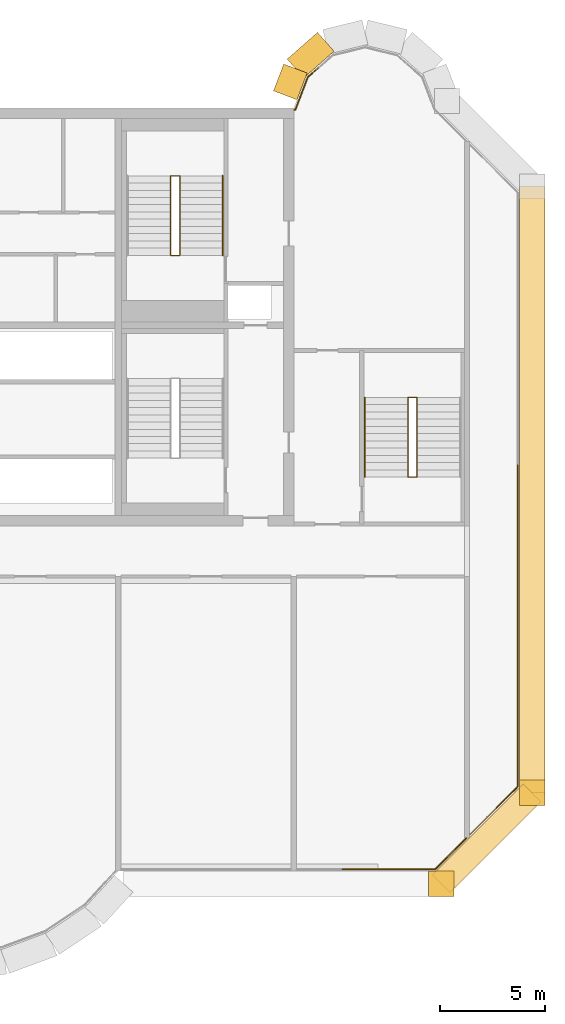
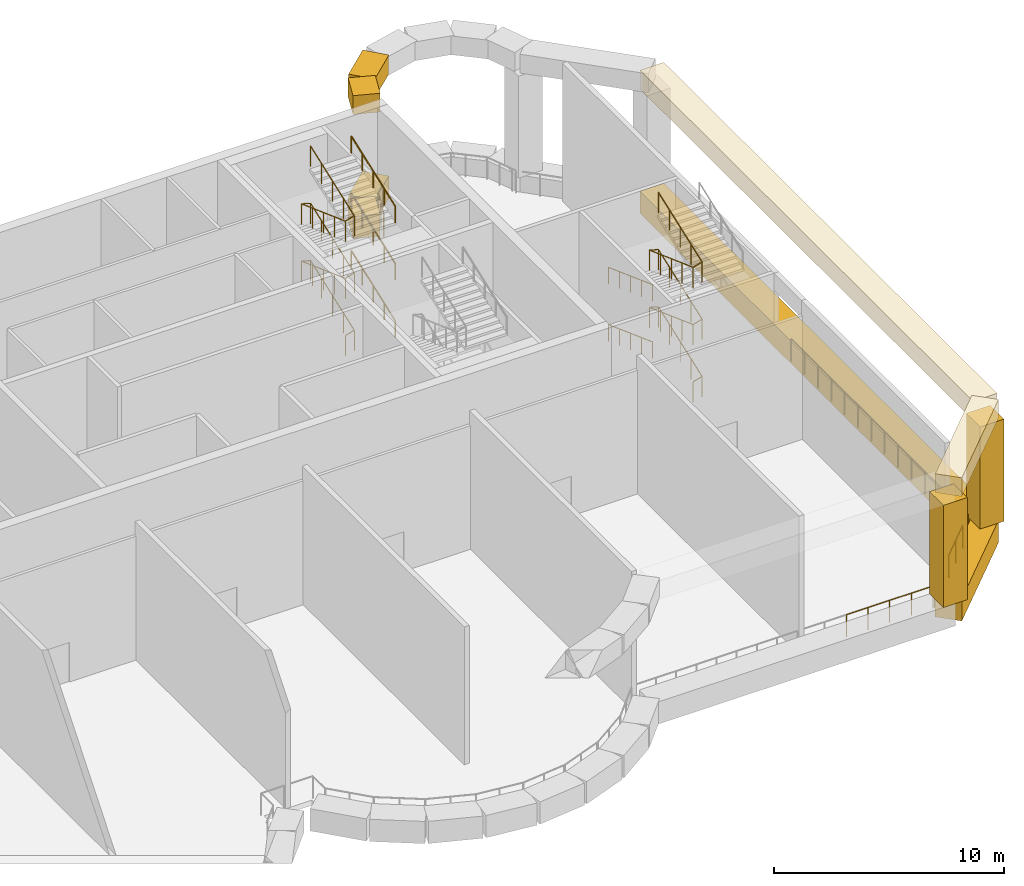
# One storey, part 10 of 11: 19 railings, 10 coverings.
"""IFC4 building model written with IfcOpenShell, lengths in metres."""

from ifc_helpers import new_model, si_unit, direction, frame, origin, origin_2d, place, context, subcontext, project, spatial, rectangle, circle, extrude, source, transform, mapped, material, type_object, element, save


model = new_model("IFC4")

# Units and contexts
model_context = context("Model", 3, precision=1e-05, world=origin(), true_north=direction((0.0, 1.0)))
body_context = subcontext(model_context, "Body", "Model", "MODEL_VIEW")
ifc_project = project(units=[si_unit("LENGTHUNIT", "METRE"), si_unit("AREAUNIT", "SQUARE_METRE"), si_unit("VOLUMEUNIT", "CUBIC_METRE"), si_unit("PLANEANGLEUNIT", "RADIAN"), si_unit("MASSUNIT", "GRAM", prefix="KILO")], contexts=[model_context])

# Site, building, storey
site_placement = place(None, origin())
site = spatial("IfcSite", under=ifc_project, at=site_placement, CompositionType="ELEMENT")
building_placement = place(site_placement, origin())
building = spatial("IfcBuilding", under=site, at=building_placement, Name="Vanashikhar Sky Hotel", CompositionType="ELEMENT")
storey_placement = place(building_placement, frame((0.0, 0.0, 270.10009765625)))
storey = spatial("IfcBuildingStorey", under=building, at=storey_placement, Name="L65", CompositionType="ELEMENT", Elevation=270.10009765625)

# Railing
ifc_material_1 = material(Name="Stainless steel 316", Category="steel")
railing_type_1 = type_object("IfcRailingType", Name="Open edge guard 1200", PredefinedType="GUARDRAIL", material=ifc_material_1)
shared_shape_1 = source(origin(), body_context, "Body", "SweptSolid", [
    extrude(circle(Radius=0.02392578125, at=origin_2d()), frame((0.0, 0.0, 1.17578125), z_axis=(1.0, 0.0, 0.0), x_axis=(0.0, 1.0, 0.0)), (0.0, 0.0, 1.0), 0.048583984375),
    extrude(circle(Radius=0.02392578125, at=origin_2d()), frame((0.048583984375, 0.0, 1.17578125), z_axis=(0.357741668395, 0.933820592348, 0.0), x_axis=(-0.933820592348, 0.357741668395, 0.0)), (0.0, 0.0, 1.0), 1.679443359375),
    extrude(circle(Radius=0.02392578125, at=origin_2d()), frame((0.6494140625, 1.568359375, 1.17578125), z_axis=(0.749683064386, 0.661797025509, 0.0), x_axis=(-0.661797025509, 0.749683064386, 0.0)), (0.0, 0.0, 1.0), 0.64453125),
    extrude(circle(Radius=0.02099609375, at=origin_2d()), origin(), (0.0, 0.0, 1.0), 1.15185546875),
    extrude(circle(Radius=0.02099609375, at=origin_2d()), frame((0.048583984375, 0.0, 0.0)), (0.0, 0.0, 1.0), 1.15185546875),
    extrude(circle(Radius=0.02099609375, at=origin_2d()), frame((0.34912109375, 0.7841796875, 0.0)), (0.0, 0.0, 1.0), 1.15185546875),
    extrude(circle(Radius=0.02099609375, at=origin_2d()), frame((0.6494140625, 1.568359375, 0.0)), (0.0, 0.0, 1.0), 1.15185546875),
    extrude(circle(Radius=0.02099609375, at=origin_2d()), frame((1.132568359375, 1.994873046875, 0.0)), (0.0, 0.0, 1.0), 1.15185546875),
])
railing_1_placement = place(storey_placement, frame((75.6201171875, 41.89990234375, 0.0)))
element("IfcRailing", 1, at=railing_1_placement, inside=storey, type_object=railing_type_1, Name="Open edge guard", PredefinedType="GUARDRAIL", context=body_context, shape_type="MappedRepresentation", body=[
    mapped(shared_shape_1, transform((0.0, 0.0, 0.0), scale=1.0)),
])

# Coverings
ifc_material_2 = material(Name="Concrete M60 dark", Category="concrete")
covering_type = type_object("IfcCoveringType", Name="Wind floor portal frame", PredefinedType="CLADDING", material=ifc_material_2)
shared_shape_2 = source(origin(), body_context, "Body", "SweptSolid", [
    extrude(rectangle(XDim=6.154052734375, YDim=1.199951171875, at=origin_2d()), origin(), (0.0, 0.0, 1.0), 1.0),
])
covering_1_placement = place(storey_placement, frame((84.82421875, 7.07568359375, 6.31982421875), z_axis=(0.0, 0.0, 1.0), x_axis=(0.707106781187, 0.707106781187, 0.0)))
element("IfcCovering", 2, at=covering_1_placement, inside=storey, type_object=covering_type, Name="Portal frame head", PredefinedType="CLADDING", context=body_context, shape_type="MappedRepresentation", body=[
    mapped(shared_shape_2, transform((0.0, 0.0, 0.0), scale=1.0)),
])
shared_shape_3 = source(origin(), body_context, "Body", "SweptSolid", [
    extrude(rectangle(XDim=28.9970703125, YDim=1.199951171875, at=origin_2d()), origin(), (0.0, 0.0, 1.0), 1.0),
])
covering_2_placement = place(storey_placement, frame((87.0, 23.75, 6.31982421875), z_axis=(0.0, 0.0, 1.0), x_axis=(0.0, 1.0, 0.0)))
element("IfcCovering", 3, at=covering_2_placement, inside=storey, type_object=covering_type, Name="Portal frame head", PredefinedType="CLADDING", context=body_context, shape_type="MappedRepresentation", body=[
    mapped(shared_shape_3, transform((0.0, 0.0, 0.0), scale=1.0)),
])
shared_shape_4 = source(origin(), body_context, "Body", "SweptSolid", [
    extrude(rectangle(XDim=1.931640625, YDim=1.199951171875, at=origin_2d()), origin(), (0.0, 0.0, 1.0), 1.0),
])
covering_3_placement = place(storey_placement, frame((76.401611328125, 44.518310546875, 6.31982421875), z_axis=(0.0, 0.0, 1.0), x_axis=(-0.749741606437, -0.661730703214, 0.0)))
element("IfcCovering", 4, at=covering_3_placement, inside=storey, type_object=covering_type, Name="Portal frame head", PredefinedType="CLADDING", context=body_context, shape_type="MappedRepresentation", body=[
    mapped(shared_shape_4, transform((0.0, 0.0, 0.0), scale=1.0)),
])
shared_shape_5 = source(origin(), body_context, "Body", "SweptSolid", [
    extrude(rectangle(XDim=1.931640625, YDim=1.199951171875, at=origin_2d()), origin(), (0.0, 0.0, 1.0), 1.179931640625),
])
covering_4_placement = place(storey_placement, frame((76.401611328125, 44.518310546875, -0.2802734375), z_axis=(0.0, 0.0, 1.0), x_axis=(-0.749741606437, -0.661730703214, 0.0)))
element("IfcCovering", 5, at=covering_4_placement, inside=storey, type_object=covering_type, Name="Portal frame sill", PredefinedType="CLADDING", context=body_context, shape_type="MappedRepresentation", body=[
    mapped(shared_shape_5, transform((0.0, 0.0, 0.0), scale=1.0)),
])
shared_shape_6 = source(origin(), body_context, "Body", "SweptSolid", [
    extrude(rectangle(XDim=1.3701171875, YDim=1.199951171875, at=origin_2d()), origin(), (0.0, 0.0, 1.0), 1.0),
])
covering_5_placement = place(storey_placement, frame((75.432373046875, 43.239501953125, 6.31982421875), z_axis=(0.0, 0.0, 1.0), x_axis=(-0.357748696787, -0.933817899779, 0.0)))
element("IfcCovering", 6, at=covering_5_placement, inside=storey, type_object=covering_type, Name="Portal frame head", PredefinedType="CLADDING", context=body_context, shape_type="MappedRepresentation", body=[
    mapped(shared_shape_6, transform((0.0, 0.0, 0.0), scale=1.0)),
])
shared_shape_7 = source(origin(), body_context, "Body", "SweptSolid", [
    extrude(rectangle(XDim=1.3701171875, YDim=1.199951171875, at=origin_2d()), origin(), (0.0, 0.0, 1.0), 1.179931640625),
])
covering_6_placement = place(storey_placement, frame((75.432373046875, 43.239501953125, -0.2802734375), z_axis=(0.0, 0.0, 1.0), x_axis=(-0.357748696787, -0.933817899779, 0.0)))
element("IfcCovering", 7, at=covering_6_placement, inside=storey, type_object=covering_type, Name="Portal frame sill", PredefinedType="CLADDING", context=body_context, shape_type="MappedRepresentation", body=[
    mapped(shared_shape_7, transform((0.0, 0.0, 0.0), scale=1.0)),
])
shared_shape_8 = source(origin(), body_context, "Body", "SweptSolid", [
    extrude(rectangle(XDim=1.199951171875, YDim=1.199951171875, at=origin_2d()), origin(), (0.0, 0.0, 1.0), 5.419921875),
])
for number, where, z_axis, x_axis, name in (
    (8, (82.6484375, 4.89990234375, 0.89990234375), (0.0, 0.0, 1.0), (1.0, 0.0, 0.0), "Portal frame jamb"),
    (9, (87.0, 9.25146484375, 0.89990234375), (0.0, 0.0, 1.0), (1.0, 0.0, 0.0), "Portal frame jamb"),
):
    element("IfcCovering", number, at=place(storey_placement, frame(where, z_axis=z_axis, x_axis=x_axis)), inside=storey, type_object=covering_type, Name=name, PredefinedType="CLADDING", context=body_context, shape_type="MappedRepresentation", body=[
        mapped(shared_shape_8, transform((0.0, 0.0, 0.0), scale=1.0)),
    ])

# Railings
shared_shape_9 = source(origin(), body_context, "Body", "SweptSolid", [
    extrude(circle(Radius=0.02392578125, at=origin_2d()), frame((0.0, 0.0, 1.17578125), z_axis=(-1.0, 0.0, 0.0), x_axis=(0.0, -1.0, 0.0)), (0.0, 0.0, 1.0), 2.176513671875),
    extrude(circle(Radius=0.02099609375, at=origin_2d()), origin(), (0.0, 0.0, 1.0), 1.15185546875),
    extrude(circle(Radius=0.02099609375, at=origin_2d()), frame((-1.08837890625, 0.0, 0.0)), (0.0, 0.0, 1.0), 1.15185546875),
    extrude(circle(Radius=0.02099609375, at=origin_2d()), frame((-2.176513671875, 0.0, 0.0)), (0.0, 0.0, 1.0), 1.15185546875),
])
railing_2_placement = place(storey_placement, frame((82.27490234375, 5.60009765625, 0.0)))
element("IfcRailing", 10, at=railing_2_placement, inside=storey, type_object=railing_type_1, Name="Open edge guard", PredefinedType="GUARDRAIL", context=body_context, shape_type="MappedRepresentation", body=[
    mapped(shared_shape_9, transform((0.0, 0.0, 0.0), scale=1.0)),
])
shared_shape_10 = source(origin(), body_context, "Body", "SweptSolid", [
    extrude(circle(Radius=0.02392578125, at=origin_2d()), frame((0.0, 0.0, 1.17578125), z_axis=(-1.0, 0.0, 0.0), x_axis=(0.0, -1.0, 0.0)), (0.0, 0.0, 1.0), 2.1767578125),
    extrude(circle(Radius=0.02099609375, at=origin_2d()), origin(), (0.0, 0.0, 1.0), 1.15185546875),
    extrude(circle(Radius=0.02099609375, at=origin_2d()), frame((-1.08837890625, 0.0, 0.0)), (0.0, 0.0, 1.0), 1.15185546875),
    extrude(circle(Radius=0.02099609375, at=origin_2d()), frame((-2.1767578125, 0.0, 0.0)), (0.0, 0.0, 1.0), 1.15185546875),
])
railing_3_placement = place(storey_placement, frame((80.098388671875, 5.60009765625, 0.0)))
element("IfcRailing", 11, at=railing_3_placement, inside=storey, type_object=railing_type_1, Name="Open edge guard", PredefinedType="GUARDRAIL", context=body_context, shape_type="MappedRepresentation", body=[
    mapped(shared_shape_10, transform((0.0, 0.0, 0.0), scale=1.0)),
])
shared_shape_11 = source(origin(), body_context, "Body", "SweptSolid", [
    extrude(circle(Radius=0.02392578125, at=origin_2d()), frame((0.0, 0.0, 1.17578125), z_axis=(-0.707106781187, -0.707106781187, 0.0), x_axis=(0.707106781187, -0.707106781187, 0.0)), (0.0, 0.0, 1.0), 2.093017578125),
    extrude(circle(Radius=0.02392578125, at=origin_2d()), frame((-1.47998046875, -1.47998046875, 1.17578125), z_axis=(-1.0, 0.0, 0.0), x_axis=(0.0, -1.0, 0.0)), (0.0, 0.0, 1.0), 0.083740234375),
    extrude(circle(Radius=0.02099609375, at=origin_2d()), origin(), (0.0, 0.0, 1.0), 1.15185546875),
    extrude(circle(Radius=0.02099609375, at=origin_2d()), frame((-0.739990234375, -0.739990234375, 0.0)), (0.0, 0.0, 1.0), 1.15185546875),
    extrude(circle(Radius=0.02099609375, at=origin_2d()), frame((-1.47998046875, -1.47998046875, 0.0)), (0.0, 0.0, 1.0), 1.15185546875),
    extrude(circle(Radius=0.02099609375, at=origin_2d()), frame((-1.563720703125, -1.47998046875, 0.0)), (0.0, 0.0, 1.0), 1.15185546875),
])
railing_4_placement = place(storey_placement, frame((83.838623046875, 7.080078125, 0.0)))
element("IfcRailing", 12, at=railing_4_placement, inside=storey, type_object=railing_type_1, Name="Open edge guard", PredefinedType="GUARDRAIL", context=body_context, shape_type="MappedRepresentation", body=[
    mapped(shared_shape_11, transform((0.0, 0.0, 0.0), scale=1.0)),
])
shared_shape_12 = source(origin(), body_context, "Body", "SweptSolid", [
    extrude(circle(Radius=0.02392578125, at=origin_2d()), frame((0.0, 0.0, 1.17578125), z_axis=(0.0, -1.0, 0.0), x_axis=(1.0, 0.0, 0.0)), (0.0, 0.0, 1.0), 2.324462890625),
    extrude(circle(Radius=0.02099609375, at=origin_2d()), origin(), (0.0, 0.0, 1.0), 1.15185546875),
    extrude(circle(Radius=0.02099609375, at=origin_2d()), frame((0.0, -1.162109375, 0.0)), (0.0, 0.0, 1.0), 1.15185546875),
    extrude(circle(Radius=0.02099609375, at=origin_2d()), frame((0.0, -2.324462890625, 0.0)), (0.0, 0.0, 1.0), 1.15185546875),
])
for number, where, name in (
    (13, (86.300048828125, 22.587890625, 0.0), "Open edge guard"),
    (14, (86.300048828125, 20.263427734375, 0.0), "Open edge guard"),
    (15, (86.300048828125, 17.93896484375, 0.0), "Open edge guard"),
    (16, (86.300048828125, 13.290283203125, 0.0), "Open edge guard"),
):
    element("IfcRailing", number, at=place(storey_placement, frame(where)), inside=storey, type_object=railing_type_1, Name=name, PredefinedType="GUARDRAIL", context=body_context, shape_type="MappedRepresentation", body=[
        mapped(shared_shape_12, transform((0.0, 0.0, 0.0), scale=1.0)),
    ])
shared_shape_13 = source(origin(), body_context, "Body", "SweptSolid", [
    extrude(circle(Radius=0.02392578125, at=origin_2d()), frame((0.0, 0.0, 1.17578125), z_axis=(0.0, -1.0, 0.0), x_axis=(1.0, 0.0, 0.0)), (0.0, 0.0, 1.0), 2.32421875),
    extrude(circle(Radius=0.02099609375, at=origin_2d()), origin(), (0.0, 0.0, 1.0), 1.15185546875),
    extrude(circle(Radius=0.02099609375, at=origin_2d()), frame((0.0, -1.162109375, 0.0)), (0.0, 0.0, 1.0), 1.15185546875),
    extrude(circle(Radius=0.02099609375, at=origin_2d()), frame((0.0, -2.32421875, 0.0)), (0.0, 0.0, 1.0), 1.15185546875),
])
for number, where, name in (
    (17, (86.300048828125, 24.912109375, 0.0), "Open edge guard"),
    (18, (86.300048828125, 15.614501953125, 0.0), "Open edge guard"),
):
    element("IfcRailing", number, at=place(storey_placement, frame(where)), inside=storey, type_object=railing_type_1, Name=name, PredefinedType="GUARDRAIL", context=body_context, shape_type="MappedRepresentation", body=[
        mapped(shared_shape_13, transform((0.0, 0.0, 0.0), scale=1.0)),
    ])
shared_shape_14 = source(origin(), body_context, "Body", "SweptSolid", [
    extrude(circle(Radius=0.02392578125, at=origin_2d()), frame((0.0, 0.0, 1.17578125), z_axis=(0.0, -1.0, 0.0), x_axis=(1.0, 0.0, 0.0)), (0.0, 0.0, 1.0), 1.42431640625),
    extrude(circle(Radius=0.02392578125, at=origin_2d()), frame((0.0, -1.42431640625, 1.17578125), z_axis=(-0.707106781187, -0.707106781187, 0.0), x_axis=(0.707106781187, -0.707106781187, 0.0)), (0.0, 0.0, 1.0), 0.900146484375),
    extrude(circle(Radius=0.02099609375, at=origin_2d()), origin(), (0.0, 0.0, 1.0), 1.15185546875),
    extrude(circle(Radius=0.02099609375, at=origin_2d()), frame((0.0, -0.712158203125, 0.0)), (0.0, 0.0, 1.0), 1.15185546875),
    extrude(circle(Radius=0.02099609375, at=origin_2d()), frame((0.0, -1.42431640625, 0.0)), (0.0, 0.0, 1.0), 1.15185546875),
    extrude(circle(Radius=0.02099609375, at=origin_2d()), frame((-0.636474609375, -2.060791015625, 0.0)), (0.0, 0.0, 1.0), 1.15185546875),
])
railing_5_placement = place(storey_placement, frame((86.300048828125, 10.9658203125, 0.0)))
element("IfcRailing", 19, at=railing_5_placement, inside=storey, type_object=railing_type_1, Name="Open edge guard", PredefinedType="GUARDRAIL", context=body_context, shape_type="MappedRepresentation", body=[
    mapped(shared_shape_14, transform((0.0, 0.0, 0.0), scale=1.0)),
])
shared_shape_15 = source(origin(), body_context, "Body", "SweptSolid", [
    extrude(circle(Radius=0.02392578125, at=origin_2d()), frame((0.0, 0.0, 1.17578125), z_axis=(-0.707106781187, -0.707106781187, 0.0), x_axis=(0.707106781187, -0.707106781187, 0.0)), (0.0, 0.0, 1.0), 2.32421875),
    extrude(circle(Radius=0.02099609375, at=origin_2d()), origin(), (0.0, 0.0, 1.0), 1.15185546875),
    extrude(circle(Radius=0.02099609375, at=origin_2d()), frame((-0.82177734375, -0.82177734375, 0.0)), (0.0, 0.0, 1.0), 1.15185546875),
    extrude(circle(Radius=0.02099609375, at=origin_2d()), frame((-1.6435546875, -1.6435546875, 0.0)), (0.0, 0.0, 1.0), 1.15185546875),
])
railing_6_placement = place(storey_placement, frame((85.66357421875, 8.905029296875, 0.0)))
element("IfcRailing", 20, at=railing_6_placement, inside=storey, type_object=railing_type_1, Name="Open edge guard", PredefinedType="GUARDRAIL", context=body_context, shape_type="MappedRepresentation", body=[
    mapped(shared_shape_15, transform((0.0, 0.0, 0.0), scale=1.0)),
])

# Coverings
shared_shape_16 = source(origin(), body_context, "Body", "SweptSolid", [
    extrude(rectangle(XDim=6.154052734375, YDim=1.199951171875, at=origin_2d()), origin(), (0.0, 0.0, 1.0), 1.179931640625),
])
covering_7_placement = place(storey_placement, frame((84.82421875, 7.07568359375, -0.2802734375), z_axis=(0.0, 0.0, 1.0), x_axis=(0.707106781187, 0.707106781187, 0.0)))
element("IfcCovering", 21, at=covering_7_placement, inside=storey, type_object=covering_type, Name="Portal frame sill", PredefinedType="CLADDING", context=body_context, shape_type="MappedRepresentation", body=[
    mapped(shared_shape_16, transform((0.0, 0.0, 0.0), scale=1.0)),
])
shared_shape_17 = source(origin(), body_context, "Body", "SweptSolid", [
    extrude(rectangle(XDim=28.9970703125, YDim=1.199951171875, at=origin_2d()), origin(), (0.0, 0.0, 1.0), 1.179931640625),
])
covering_8_placement = place(storey_placement, frame((87.0, 23.75, -0.2802734375), z_axis=(0.0, 0.0, 1.0), x_axis=(0.0, 1.0, 0.0)))
element("IfcCovering", 22, at=covering_8_placement, inside=storey, type_object=covering_type, Name="Portal frame sill", PredefinedType="CLADDING", context=body_context, shape_type="MappedRepresentation", body=[
    mapped(shared_shape_17, transform((0.0, 0.0, 0.0), scale=1.0)),
])

# Railings
ifc_material_3 = material(Name="Steel S355", Category="steel")
railing_type_2 = type_object("IfcRailingType", Name="Stair handrail 900", PredefinedType="HANDRAIL", material=ifc_material_3)
shared_shape_18 = source(origin(), body_context, "Body", "SweptSolid", [
    extrude(circle(Radius=0.02392578125, at=origin_2d()), frame((0.0, 0.0, 0.8759765625), z_axis=(0.0, 0.938879565204, 0.344245787255), x_axis=(-1.0, 0.0, 0.0)), (0.0, 0.0, 1.0), 4.04736328125),
    extrude(circle(Radius=0.02099609375, at=origin_2d()), origin(), (0.0, 0.0, 1.0), 0.851806640625),
    extrude(circle(Radius=0.02099609375, at=origin_2d()), frame((0.0, 0.949951171875, 0.348388671875)), (0.0, 0.0, 1.0), 0.851806640625),
    extrude(circle(Radius=0.02099609375, at=origin_2d()), frame((0.0, 1.89990234375, 0.69677734375)), (0.0, 0.0, 1.0), 0.851806640625),
    extrude(circle(Radius=0.02099609375, at=origin_2d()), frame((0.0, 2.85009765625, 1.044921875)), (0.0, 0.0, 1.0), 0.851806640625),
    extrude(circle(Radius=0.02099609375, at=origin_2d()), frame((0.0, 3.800048828125, 1.393310546875)), (0.0, 0.0, 1.0), 0.851806640625),
])
for number, where, name in (
    (23, (72.199951171875, 34.949951171875, 3.16650390625), "Exit stair 6 handrail"),
    (24, (72.199951171875, 34.949951171875, 6.20654296875), "Exit stair 6 handrail"),
):
    element("IfcRailing", number, at=place(storey_placement, frame(where)), inside=storey, type_object=railing_type_2, Name=name, PredefinedType="HANDRAIL", context=body_context, shape_type="MappedRepresentation", body=[
        mapped(shared_shape_18, transform((0.0, 0.0, 0.0), scale=1.0)),
    ])
shared_shape_19 = source(origin(), body_context, "Body", "SweptSolid", [
    extrude(circle(Radius=0.02392578125, at=origin_2d()), frame((0.0, 0.0, 0.8759765625), z_axis=(0.0, 0.938860068383, 0.344298957297), x_axis=(-1.0, 0.0, 0.0)), (0.0, 0.0, 1.0), 4.047607421875),
    extrude(circle(Radius=0.02099609375, at=origin_2d()), origin(), (0.0, 0.0, 1.0), 0.851806640625),
    extrude(circle(Radius=0.02099609375, at=origin_2d()), frame((0.0, 0.949951171875, 0.348388671875)), (0.0, 0.0, 1.0), 0.851806640625),
    extrude(circle(Radius=0.02099609375, at=origin_2d()), frame((0.0, 1.89990234375, 0.69677734375)), (0.0, 0.0, 1.0), 0.851806640625),
    extrude(circle(Radius=0.02099609375, at=origin_2d()), frame((0.0, 2.85009765625, 1.045166015625)), (0.0, 0.0, 1.0), 0.851806640625),
    extrude(circle(Radius=0.02099609375, at=origin_2d()), frame((0.0, 3.800048828125, 1.3935546875)), (0.0, 0.0, 1.0), 0.851806640625),
])
railing_7_placement = place(storey_placement, frame((72.199951171875, 34.949951171875, 0.12646484375)))
element("IfcRailing", 25, at=railing_7_placement, inside=storey, type_object=railing_type_2, Name="Exit stair 6 handrail", PredefinedType="HANDRAIL", context=body_context, shape_type="MappedRepresentation", body=[
    mapped(shared_shape_19, transform((0.0, 0.0, 0.0), scale=1.0)),
])
railing_type_3 = type_object("IfcRailingType", Name="Stair guard 1100", PredefinedType="GUARDRAIL", material=ifc_material_3)
shared_shape_20 = source(origin(), body_context, "Body", "SweptSolid", [
    extrude(circle(Radius=0.02392578125, at=origin_2d()), frame((0.0, 0.0, 1.076171875), z_axis=(0.962697724876, 0.0, 0.270579176064), x_axis=(0.0, 1.0, 0.0)), (0.0, 0.0, 1.0), 0.46728515625),
    extrude(circle(Radius=0.02392578125, at=origin_2d()), frame((0.449951171875, 0.0, 1.20263671875), z_axis=(0.0, 0.938860068383, 0.344298957297), x_axis=(-1.0, 0.0, 0.0)), (0.0, 0.0, 1.0), 4.047607421875),
    extrude(circle(Radius=0.02392578125, at=origin_2d()), frame((0.449951171875, 3.800048828125, 2.59619140625), z_axis=(-0.962697724876, 0.0, 0.270579176064), x_axis=(0.0, -1.0, 0.0)), (0.0, 0.0, 1.0), 0.46728515625),
    extrude(circle(Radius=0.02392578125, at=origin_2d()), frame((0.0, 3.800048828125, 2.72265625), z_axis=(0.0, -0.938879565204, 0.344245787255), x_axis=(1.0, 0.0, 0.0)), (0.0, 0.0, 1.0), 4.04736328125),
    extrude(circle(Radius=0.02392578125, at=origin_2d()), frame((0.0, 0.0, 4.11572265625), z_axis=(0.962561556651, 0.0, 0.271063183886), x_axis=(0.0, 1.0, 0.0)), (0.0, 0.0, 1.0), 0.467529296875),
    extrude(circle(Radius=0.02392578125, at=origin_2d()), frame((0.449951171875, 0.0, 4.24267578125), z_axis=(0.0, 0.938879565204, 0.344245787255), x_axis=(-1.0, 0.0, 0.0)), (0.0, 0.0, 1.0), 4.04736328125),
    extrude(circle(Radius=0.02392578125, at=origin_2d()), frame((0.449951171875, 3.800048828125, 5.6357421875), z_axis=(-0.962561556651, 0.0, 0.271063183886), x_axis=(0.0, -1.0, 0.0)), (0.0, 0.0, 1.0), 0.467529296875),
    extrude(circle(Radius=0.02392578125, at=origin_2d()), frame((0.0, 3.800048828125, 5.7626953125), z_axis=(0.0, -0.938879565204, 0.344245787255), x_axis=(1.0, 0.0, 0.0)), (0.0, 0.0, 1.0), 4.04736328125),
    extrude(circle(Radius=0.02392578125, at=origin_2d()), frame((0.0, 0.0, 7.15576171875), z_axis=(0.962561556651, 0.0, 0.271063183886), x_axis=(0.0, 1.0, 0.0)), (0.0, 0.0, 1.0), 0.467529296875),
    extrude(circle(Radius=0.02392578125, at=origin_2d()), frame((0.449951171875, 0.0, 7.28271484375), z_axis=(0.0, 0.938879565204, 0.344245787255), x_axis=(-1.0, 0.0, 0.0)), (0.0, 0.0, 1.0), 4.04736328125),
    extrude(circle(Radius=0.02099609375, at=origin_2d()), origin(), (0.0, 0.0, 1.0), 1.052001953125),
    extrude(circle(Radius=0.02099609375, at=origin_2d()), frame((0.449951171875, 0.0, 0.12646484375)), (0.0, 0.0, 1.0), 1.052001953125),
    extrude(circle(Radius=0.02099609375, at=origin_2d()), frame((0.449951171875, 0.949951171875, 0.474853515625)), (0.0, 0.0, 1.0), 1.052001953125),
    extrude(circle(Radius=0.02099609375, at=origin_2d()), frame((0.449951171875, 1.89990234375, 0.8232421875)), (0.0, 0.0, 1.0), 1.052001953125),
    extrude(circle(Radius=0.02099609375, at=origin_2d()), frame((0.449951171875, 2.85009765625, 1.171630859375)), (0.0, 0.0, 1.0), 1.052001953125),
    extrude(circle(Radius=0.02099609375, at=origin_2d()), frame((0.449951171875, 3.800048828125, 1.52001953125)), (0.0, 0.0, 1.0), 1.052001953125),
    extrude(circle(Radius=0.02099609375, at=origin_2d()), frame((0.0, 3.800048828125, 1.646484375)), (0.0, 0.0, 1.0), 1.052001953125),
    extrude(circle(Radius=0.02099609375, at=origin_2d()), frame((0.0, 2.85009765625, 1.994873046875)), (0.0, 0.0, 1.0), 1.052001953125),
    extrude(circle(Radius=0.02099609375, at=origin_2d()), frame((0.0, 1.89990234375, 2.34326171875)), (0.0, 0.0, 1.0), 1.052001953125),
    extrude(circle(Radius=0.02099609375, at=origin_2d()), frame((0.0, 0.949951171875, 2.69140625)), (0.0, 0.0, 1.0), 1.052001953125),
    extrude(circle(Radius=0.02099609375, at=origin_2d()), frame((0.0, 0.0, 3.039794921875)), (0.0, 0.0, 1.0), 1.052001953125),
    extrude(circle(Radius=0.02099609375, at=origin_2d()), frame((0.449951171875, 0.0, 3.16650390625)), (0.0, 0.0, 1.0), 1.052001953125),
    extrude(circle(Radius=0.02099609375, at=origin_2d()), frame((0.449951171875, 0.949951171875, 3.514892578125)), (0.0, 0.0, 1.0), 1.052001953125),
    extrude(circle(Radius=0.02099609375, at=origin_2d()), frame((0.449951171875, 1.89990234375, 3.86328125)), (0.0, 0.0, 1.0), 1.052001953125),
    extrude(circle(Radius=0.02099609375, at=origin_2d()), frame((0.449951171875, 2.85009765625, 4.21142578125)), (0.0, 0.0, 1.0), 1.052001953125),
    extrude(circle(Radius=0.02099609375, at=origin_2d()), frame((0.449951171875, 3.800048828125, 4.559814453125)), (0.0, 0.0, 1.0), 1.052001953125),
    extrude(circle(Radius=0.02099609375, at=origin_2d()), frame((0.0, 3.800048828125, 4.6865234375)), (0.0, 0.0, 1.0), 1.052001953125),
    extrude(circle(Radius=0.02099609375, at=origin_2d()), frame((0.0, 2.85009765625, 5.034912109375)), (0.0, 0.0, 1.0), 1.052001953125),
    extrude(circle(Radius=0.02099609375, at=origin_2d()), frame((0.0, 1.89990234375, 5.38330078125)), (0.0, 0.0, 1.0), 1.052001953125),
    extrude(circle(Radius=0.02099609375, at=origin_2d()), frame((0.0, 0.949951171875, 5.7314453125)), (0.0, 0.0, 1.0), 1.052001953125),
    extrude(circle(Radius=0.02099609375, at=origin_2d()), frame((0.0, 0.0, 6.079833984375)), (0.0, 0.0, 1.0), 1.052001953125),
    extrude(circle(Radius=0.02099609375, at=origin_2d()), frame((0.449951171875, 0.0, 6.20654296875)), (0.0, 0.0, 1.0), 1.052001953125),
    extrude(circle(Radius=0.02099609375, at=origin_2d()), frame((0.449951171875, 0.949951171875, 6.554931640625)), (0.0, 0.0, 1.0), 1.052001953125),
    extrude(circle(Radius=0.02099609375, at=origin_2d()), frame((0.449951171875, 1.89990234375, 6.9033203125)), (0.0, 0.0, 1.0), 1.052001953125),
    extrude(circle(Radius=0.02099609375, at=origin_2d()), frame((0.449951171875, 2.85009765625, 7.25146484375)), (0.0, 0.0, 1.0), 1.052001953125),
    extrude(circle(Radius=0.02099609375, at=origin_2d()), frame((0.449951171875, 3.800048828125, 7.599853515625)), (0.0, 0.0, 1.0), 1.052001953125),
])
railing_8_placement = place(storey_placement, frame((69.699951171875, 34.949951171875, 0.0)))
element("IfcRailing", 26, at=railing_8_placement, inside=storey, type_object=railing_type_3, Name="Exit stair 6 guard", PredefinedType="GUARDRAIL", context=body_context, shape_type="MappedRepresentation", body=[
    mapped(shared_shape_20, transform((0.0, 0.0, 0.0), scale=1.0)),
])
shared_shape_21 = source(origin(), body_context, "Body", "SweptSolid", [
    extrude(circle(Radius=0.02392578125, at=origin_2d()), frame((0.0, 0.0, 0.8759765625), z_axis=(0.0, -0.938872416375, 0.344265284005), x_axis=(1.0, 0.0, 0.0)), (0.0, 0.0, 1.0), 4.047119140625),
    extrude(circle(Radius=0.02099609375, at=origin_2d()), origin(), (0.0, 0.0, 1.0), 0.851806640625),
    extrude(circle(Radius=0.02099609375, at=origin_2d()), frame((0.0, -0.949951171875, 0.348388671875)), (0.0, 0.0, 1.0), 0.851806640625),
    extrude(circle(Radius=0.02099609375, at=origin_2d()), frame((0.0, -1.89990234375, 0.69677734375)), (0.0, 0.0, 1.0), 0.851806640625),
    extrude(circle(Radius=0.02099609375, at=origin_2d()), frame((0.0, -2.849853515625, 1.044921875)), (0.0, 0.0, 1.0), 0.851806640625),
    extrude(circle(Radius=0.02099609375, at=origin_2d()), frame((0.0, -3.7998046875, 1.393310546875)), (0.0, 0.0, 1.0), 0.851806640625),
])
for number, where, name in (
    (27, (79.0, 28.14990234375, 1.646484375), "Exit stair 4 handrail"),
    (28, (79.0, 28.14990234375, 4.6865234375), "Exit stair 4 handrail"),
):
    element("IfcRailing", number, at=place(storey_placement, frame(where)), inside=storey, type_object=railing_type_2, Name=name, PredefinedType="HANDRAIL", context=body_context, shape_type="MappedRepresentation", body=[
        mapped(shared_shape_21, transform((0.0, 0.0, 0.0), scale=1.0)),
    ])
shared_shape_22 = source(origin(), body_context, "Body", "SweptSolid", [
    extrude(circle(Radius=0.02392578125, at=origin_2d()), frame((0.0, 0.0, 1.076171875), z_axis=(0.962697724876, 0.0, 0.270579176064), x_axis=(0.0, 1.0, 0.0)), (0.0, 0.0, 1.0), 0.46728515625),
    extrude(circle(Radius=0.02392578125, at=origin_2d()), frame((0.449951171875, 0.0, 1.20263671875), z_axis=(0.0, 0.938852917494, 0.344318456249), x_axis=(-1.0, 0.0, 0.0)), (0.0, 0.0, 1.0), 4.04736328125),
    extrude(circle(Radius=0.02392578125, at=origin_2d()), frame((0.449951171875, 3.7998046875, 2.59619140625), z_axis=(-0.962697724876, 0.0, 0.270579176064), x_axis=(0.0, -1.0, 0.0)), (0.0, 0.0, 1.0), 0.46728515625),
    extrude(circle(Radius=0.02392578125, at=origin_2d()), frame((0.0, 3.7998046875, 2.72265625), z_axis=(0.0, -0.938872416375, 0.344265284005), x_axis=(1.0, 0.0, 0.0)), (0.0, 0.0, 1.0), 4.047119140625),
    extrude(circle(Radius=0.02392578125, at=origin_2d()), frame((0.0, 0.0, 4.11572265625), z_axis=(0.962561556651, 0.0, 0.271063183886), x_axis=(0.0, 1.0, 0.0)), (0.0, 0.0, 1.0), 0.467529296875),
    extrude(circle(Radius=0.02392578125, at=origin_2d()), frame((0.449951171875, 0.0, 4.24267578125), z_axis=(0.0, 0.938872416375, 0.344265284005), x_axis=(-1.0, 0.0, 0.0)), (0.0, 0.0, 1.0), 4.047119140625),
    extrude(circle(Radius=0.02392578125, at=origin_2d()), frame((0.449951171875, 3.7998046875, 5.6357421875), z_axis=(-0.962561556651, 0.0, 0.271063183886), x_axis=(0.0, -1.0, 0.0)), (0.0, 0.0, 1.0), 0.467529296875),
    extrude(circle(Radius=0.02392578125, at=origin_2d()), frame((0.0, 3.7998046875, 5.7626953125), z_axis=(0.0, -0.938872416375, 0.344265284005), x_axis=(1.0, 0.0, 0.0)), (0.0, 0.0, 1.0), 4.047119140625),
    extrude(circle(Radius=0.02392578125, at=origin_2d()), frame((0.0, 0.0, 7.15576171875), z_axis=(0.962561556651, 0.0, 0.271063183886), x_axis=(0.0, 1.0, 0.0)), (0.0, 0.0, 1.0), 0.467529296875),
    extrude(circle(Radius=0.02392578125, at=origin_2d()), frame((0.449951171875, 0.0, 7.28271484375), z_axis=(0.0, 0.938872416375, 0.344265284005), x_axis=(-1.0, 0.0, 0.0)), (0.0, 0.0, 1.0), 4.047119140625),
    extrude(circle(Radius=0.02099609375, at=origin_2d()), origin(), (0.0, 0.0, 1.0), 1.052001953125),
    extrude(circle(Radius=0.02099609375, at=origin_2d()), frame((0.449951171875, 0.0, 0.12646484375)), (0.0, 0.0, 1.0), 1.052001953125),
    extrude(circle(Radius=0.02099609375, at=origin_2d()), frame((0.449951171875, 0.949951171875, 0.474853515625)), (0.0, 0.0, 1.0), 1.052001953125),
    extrude(circle(Radius=0.02099609375, at=origin_2d()), frame((0.449951171875, 1.89990234375, 0.8232421875)), (0.0, 0.0, 1.0), 1.052001953125),
    extrude(circle(Radius=0.02099609375, at=origin_2d()), frame((0.449951171875, 2.849853515625, 1.171630859375)), (0.0, 0.0, 1.0), 1.052001953125),
    extrude(circle(Radius=0.02099609375, at=origin_2d()), frame((0.449951171875, 3.7998046875, 1.52001953125)), (0.0, 0.0, 1.0), 1.052001953125),
    extrude(circle(Radius=0.02099609375, at=origin_2d()), frame((0.0, 3.7998046875, 1.646484375)), (0.0, 0.0, 1.0), 1.052001953125),
    extrude(circle(Radius=0.02099609375, at=origin_2d()), frame((0.0, 2.849853515625, 1.994873046875)), (0.0, 0.0, 1.0), 1.052001953125),
    extrude(circle(Radius=0.02099609375, at=origin_2d()), frame((0.0, 1.89990234375, 2.34326171875)), (0.0, 0.0, 1.0), 1.052001953125),
    extrude(circle(Radius=0.02099609375, at=origin_2d()), frame((0.0, 0.949951171875, 2.69140625)), (0.0, 0.0, 1.0), 1.052001953125),
    extrude(circle(Radius=0.02099609375, at=origin_2d()), frame((0.0, 0.0, 3.039794921875)), (0.0, 0.0, 1.0), 1.052001953125),
    extrude(circle(Radius=0.02099609375, at=origin_2d()), frame((0.449951171875, 0.0, 3.16650390625)), (0.0, 0.0, 1.0), 1.052001953125),
    extrude(circle(Radius=0.02099609375, at=origin_2d()), frame((0.449951171875, 0.949951171875, 3.514892578125)), (0.0, 0.0, 1.0), 1.052001953125),
    extrude(circle(Radius=0.02099609375, at=origin_2d()), frame((0.449951171875, 1.89990234375, 3.86328125)), (0.0, 0.0, 1.0), 1.052001953125),
    extrude(circle(Radius=0.02099609375, at=origin_2d()), frame((0.449951171875, 2.849853515625, 4.21142578125)), (0.0, 0.0, 1.0), 1.052001953125),
    extrude(circle(Radius=0.02099609375, at=origin_2d()), frame((0.449951171875, 3.7998046875, 4.559814453125)), (0.0, 0.0, 1.0), 1.052001953125),
    extrude(circle(Radius=0.02099609375, at=origin_2d()), frame((0.0, 3.7998046875, 4.6865234375)), (0.0, 0.0, 1.0), 1.052001953125),
    extrude(circle(Radius=0.02099609375, at=origin_2d()), frame((0.0, 2.849853515625, 5.034912109375)), (0.0, 0.0, 1.0), 1.052001953125),
    extrude(circle(Radius=0.02099609375, at=origin_2d()), frame((0.0, 1.89990234375, 5.38330078125)), (0.0, 0.0, 1.0), 1.052001953125),
    extrude(circle(Radius=0.02099609375, at=origin_2d()), frame((0.0, 0.949951171875, 5.7314453125)), (0.0, 0.0, 1.0), 1.052001953125),
    extrude(circle(Radius=0.02099609375, at=origin_2d()), frame((0.0, 0.0, 6.079833984375)), (0.0, 0.0, 1.0), 1.052001953125),
    extrude(circle(Radius=0.02099609375, at=origin_2d()), frame((0.449951171875, 0.0, 6.20654296875)), (0.0, 0.0, 1.0), 1.052001953125),
    extrude(circle(Radius=0.02099609375, at=origin_2d()), frame((0.449951171875, 0.949951171875, 6.554931640625)), (0.0, 0.0, 1.0), 1.052001953125),
    extrude(circle(Radius=0.02099609375, at=origin_2d()), frame((0.449951171875, 1.89990234375, 6.9033203125)), (0.0, 0.0, 1.0), 1.052001953125),
    extrude(circle(Radius=0.02099609375, at=origin_2d()), frame((0.449951171875, 2.849853515625, 7.25146484375)), (0.0, 0.0, 1.0), 1.052001953125),
    extrude(circle(Radius=0.02099609375, at=origin_2d()), frame((0.449951171875, 3.7998046875, 7.599853515625)), (0.0, 0.0, 1.0), 1.052001953125),
])
railing_9_placement = place(storey_placement, frame((81.050048828125, 24.35009765625, 0.0)))
element("IfcRailing", 29, at=railing_9_placement, inside=storey, type_object=railing_type_3, Name="Exit stair 4 guard", PredefinedType="GUARDRAIL", context=body_context, shape_type="MappedRepresentation", body=[
    mapped(shared_shape_22, transform((0.0, 0.0, 0.0), scale=1.0)),
])

save(model, "model.ifc")
